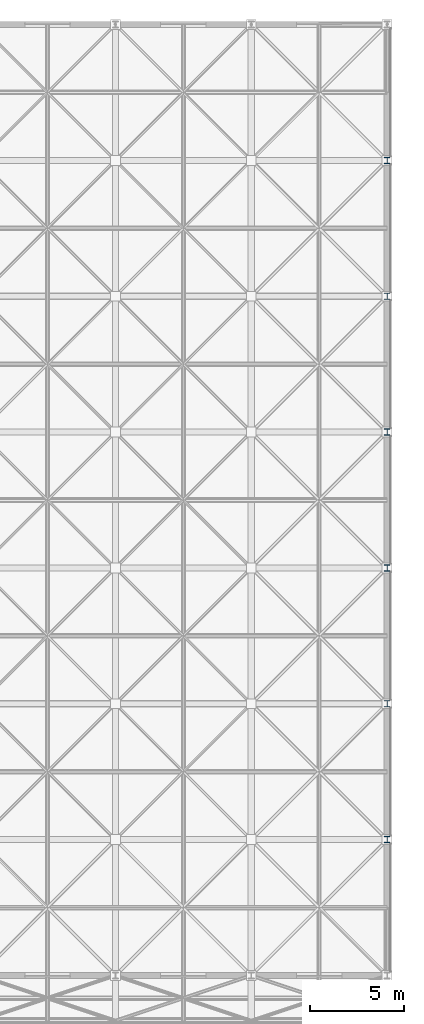
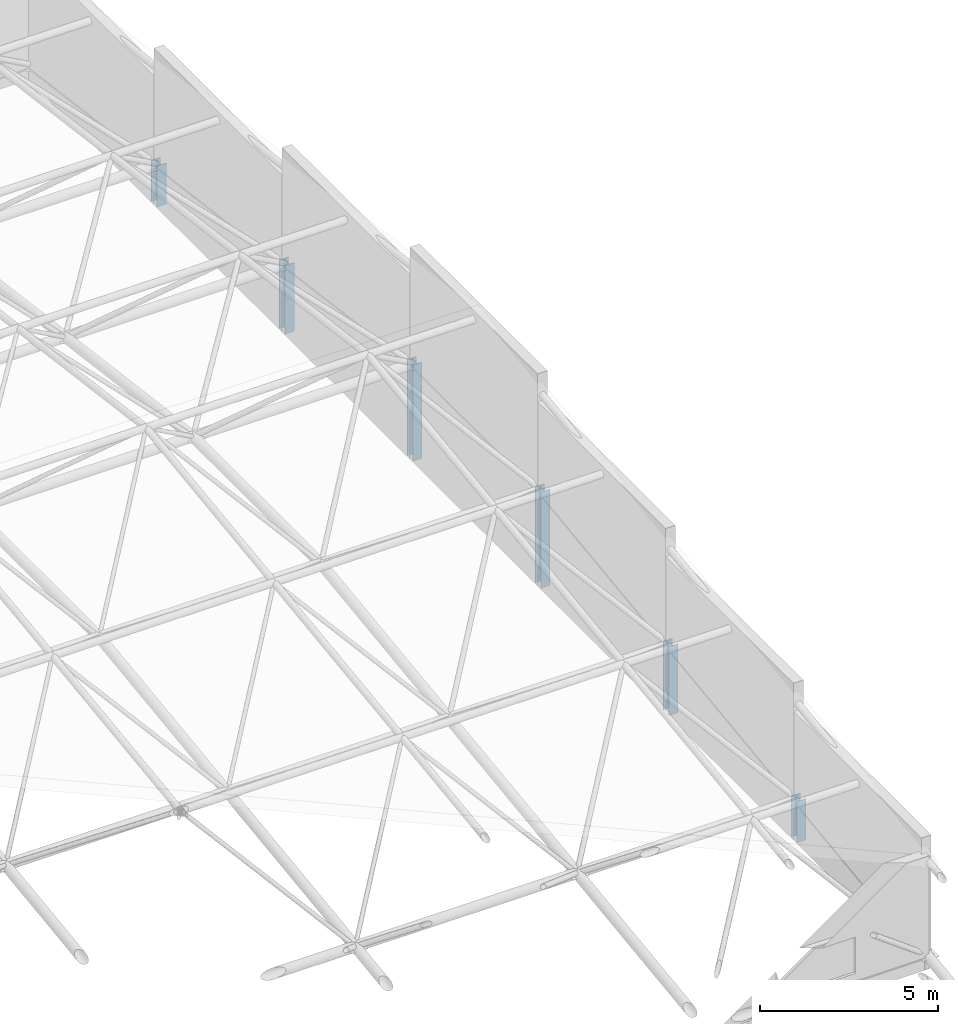
# One storey, part 7 of 103: 6 columns.
"""IFC4 building model written with IfcOpenShell, lengths in metres."""

from ifc_helpers import new_model, si_unit, direction, frame, origin, origin_2d, place, context, subcontext, project, spatial, i_section, extrude, material, material_profile, profile_set, type_object, element, save


model = new_model("IFC4")

# Units and contexts
model_context = context("Model", 3, precision=1e-05, world=origin(), true_north=direction((0.0, 1.0)))
body_context = subcontext(model_context, "Body", "Model", "MODEL_VIEW")
ifc_project = project(units=[si_unit("LENGTHUNIT", "METRE"), si_unit("AREAUNIT", "SQUARE_METRE"), si_unit("VOLUMEUNIT", "CUBIC_METRE"), si_unit("PLANEANGLEUNIT", "RADIAN"), si_unit("MASSUNIT", "GRAM", prefix="KILO")], contexts=[model_context])

# Site, building, storey
site_placement = place(None, origin())
site = spatial("IfcSite", under=ifc_project, at=site_placement, CompositionType="ELEMENT")
building_placement = place(site_placement, origin())
building = spatial("IfcBuilding", under=site, at=building_placement, Name="Thalmaran Polytechnic", CompositionType="ELEMENT")
storey_placement = place(building_placement, frame((0.0, 0.0, 14.39990234375)))
storey = spatial("IfcBuildingStorey", under=building, at=storey_placement, Name="L03", CompositionType="ELEMENT", Elevation=14.39990234375)

# Columns
ifc_material = material(Name="Steel S355", Category="steel")
ifc_material_profile = material_profile(ifc_material, i_section(OverallWidth=0.300048828125, OverallDepth=0.340087890625, WebThickness=0.011962890625, FlangeThickness=0.021484375, at=origin_2d()), Name="HEB 340")
ifc_profile_set = profile_set([ifc_material_profile], Name="Steel S355")
column_type = type_object("IfcColumnType", Name="COL-SC1", PredefinedType="COLUMN", material=ifc_profile_set)
column_1_placement = place(storey_placement, frame((172.800048828125, 7.199951171875, 0.0), z_axis=(0.0, 0.0, 1.0), x_axis=(1.0, 0.0, 0.0)))
element("IfcColumn", 1, at=column_1_placement, inside=storey, type_object=column_type, Name="Workshop Gable Steel Column (24,1)", PredefinedType="COLUMN", context=body_context, shape_type="SweptSolid", body=[
    extrude(i_section(OverallWidth=0.300048828125, OverallDepth=0.340087890625, WebThickness=0.011962890625, FlangeThickness=0.021484375, at=origin_2d()), origin(), (0.0, 0.0, 1.0), 1.407958984375),
])
column_2_placement = place(storey_placement, frame((172.800048828125, 14.39990234375, 0.0), z_axis=(0.0, 0.0, 1.0), x_axis=(1.0, 0.0, 0.0)))
element("IfcColumn", 2, at=column_2_placement, inside=storey, type_object=column_type, Name="Workshop Gable Steel Column (24,2)", PredefinedType="COLUMN", context=body_context, shape_type="SweptSolid", body=[
    extrude(i_section(OverallWidth=0.300048828125, OverallDepth=0.340087890625, WebThickness=0.011962890625, FlangeThickness=0.021484375, at=origin_2d()), origin(), (0.0, 0.0, 1.0), 2.35595703125),
])
for number, where, z_axis, x_axis, name in (
    (3, (172.800048828125, 21.60009765625, 0.0), (0.0, 0.0, 1.0), (1.0, 0.0, 0.0), "Workshop Gable Steel Column (24,3)"),
    (4, (172.800048828125, 28.800048828125, 0.0), (0.0, 0.0, 1.0), (1.0, 0.0, 0.0), "Workshop Gable Steel Column (24,4)"),
):
    element("IfcColumn", number, at=place(storey_placement, frame(where, z_axis=z_axis, x_axis=x_axis)), inside=storey, type_object=column_type, Name=name, PredefinedType="COLUMN", context=body_context, shape_type="SweptSolid", body=[
        extrude(i_section(OverallWidth=0.300048828125, OverallDepth=0.340087890625, WebThickness=0.011962890625, FlangeThickness=0.021484375, at=origin_2d()), origin(), (0.0, 0.0, 1.0), 3.3037109375),
    ])
column_3_placement = place(storey_placement, frame((172.800048828125, 36.0, 0.0), z_axis=(0.0, 0.0, 1.0), x_axis=(1.0, 0.0, 0.0)))
element("IfcColumn", 5, at=column_3_placement, inside=storey, type_object=column_type, Name="Workshop Gable Steel Column (24,5)", PredefinedType="COLUMN", context=body_context, shape_type="SweptSolid", body=[
    extrude(i_section(OverallWidth=0.300048828125, OverallDepth=0.340087890625, WebThickness=0.011962890625, FlangeThickness=0.021484375, at=origin_2d()), origin(), (0.0, 0.0, 1.0), 2.35595703125),
])
column_4_placement = place(storey_placement, frame((172.800048828125, 43.199951171875, 0.0), z_axis=(0.0, 0.0, 1.0), x_axis=(1.0, 0.0, 0.0)))
element("IfcColumn", 6, at=column_4_placement, inside=storey, type_object=column_type, Name="Workshop Gable Steel Column (24,6)", PredefinedType="COLUMN", context=body_context, shape_type="SweptSolid", body=[
    extrude(i_section(OverallWidth=0.300048828125, OverallDepth=0.340087890625, WebThickness=0.011962890625, FlangeThickness=0.021484375, at=origin_2d()), origin(), (0.0, 0.0, 1.0), 1.407958984375),
])

save(model, "model.ifc")
